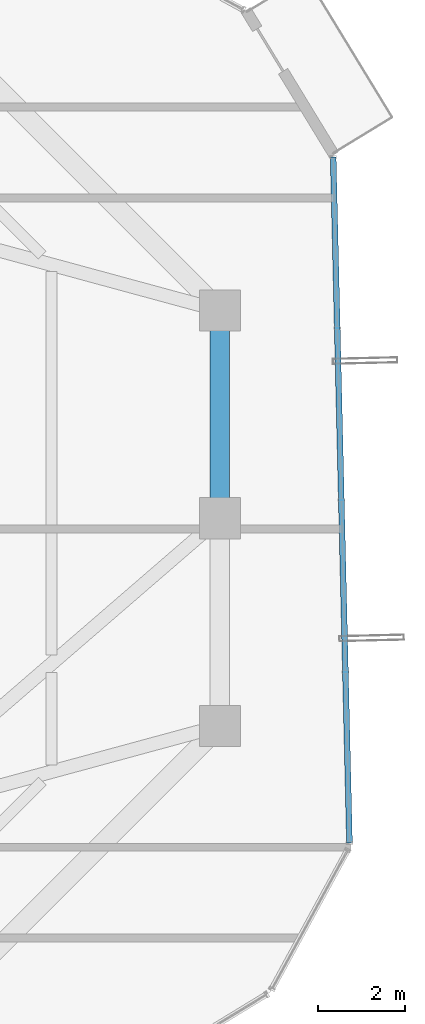
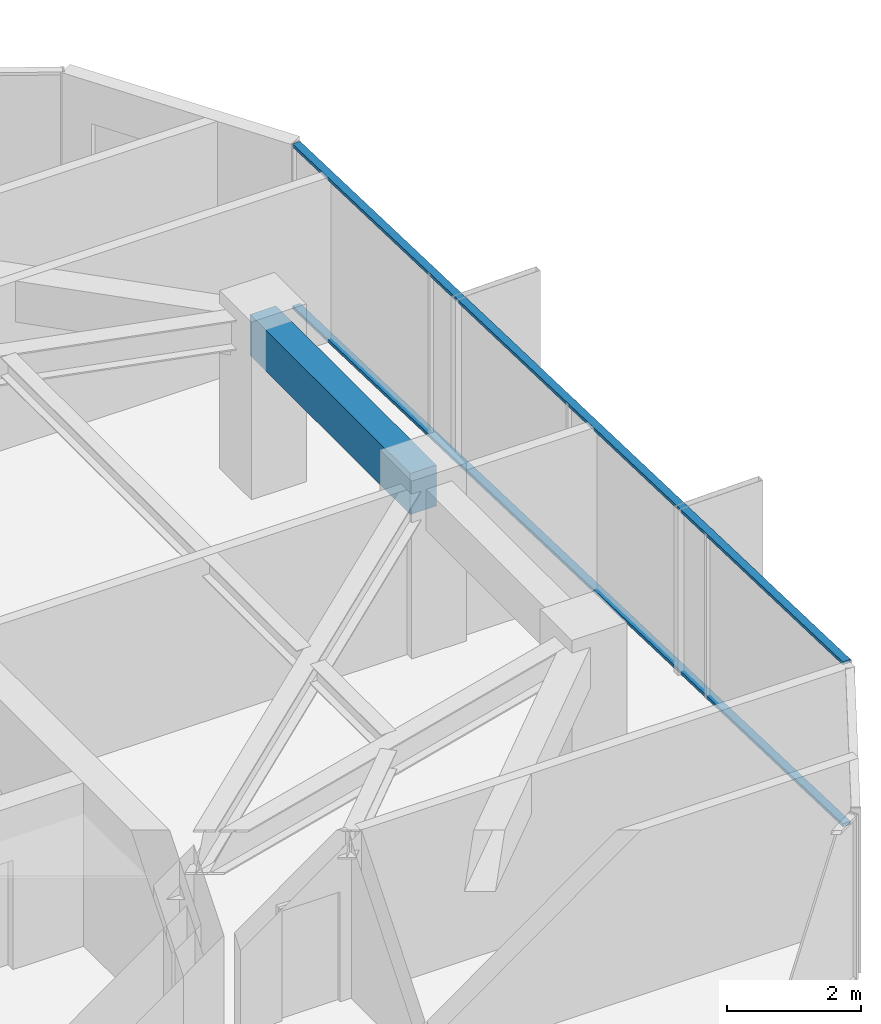
# One storey, part 19 of 32: 2 members, 1 beam, 1 element without a shape of its own.
"""IFC4 building model written with IfcOpenShell, lengths in metres."""

from ifc_helpers import new_model, si_unit, direction, frame, origin, origin_2d, place, context, subcontext, project, spatial, rectangle, hollow_rectangle, extrude, source, transform, mapped, material, layer, layer_set, material_profile, profile_set, type_object, element, aggregate, save


model = new_model("IFC4")

# Units and contexts
model_context = context("Model", 3, precision=1e-05, world=origin(), true_north=direction((0.0, 1.0)))
body_context = subcontext(model_context, "Body", "Model", "MODEL_VIEW")
ifc_project = project(units=[si_unit("LENGTHUNIT", "METRE"), si_unit("AREAUNIT", "SQUARE_METRE"), si_unit("VOLUMEUNIT", "CUBIC_METRE"), si_unit("PLANEANGLEUNIT", "RADIAN"), si_unit("MASSUNIT", "GRAM", prefix="KILO")], contexts=[model_context])

# Site, building, storey
site_placement = place(None, origin())
site = spatial("IfcSite", under=ifc_project, at=site_placement, CompositionType="ELEMENT")
building_placement = place(site_placement, origin())
building = spatial("IfcBuilding", under=site, at=building_placement, Name="Veraguas Prism Commons", CompositionType="ELEMENT")
storey_placement = place(building_placement, frame((0.0, 0.0, 201.60009765625)))
storey = spatial("IfcBuildingStorey", under=building, at=storey_placement, Name="L57", CompositionType="ELEMENT", Elevation=201.60009765625)

# Beam
ifc_material_1 = material(Name="Concrete C50/60", Category="concrete")
ifc_material_profile_1 = material_profile(ifc_material_1, rectangle(XDim=0.449951171875, YDim=0.75, at=origin_2d()), Name="RC450X750")
ifc_profile_set_1 = profile_set([ifc_material_profile_1], Name="Concrete C50/60")
beam_type = type_object("IfcBeamType", Name="Perimeter Spandrel Upper RC 450x750", PredefinedType="SPANDREL", material=ifc_profile_set_1)
beam_placement = place(storey_placement, frame((38.89990234375, 24.0, 2.639892578125), z_axis=(0.0, 1.0, 0.0), x_axis=(-1.0, 0.0, 0.0)))
element("IfcBeam", 1, at=beam_placement, inside=storey, type_object=beam_type, Name="Perimeter Spandrel Beam L57-SP02", PredefinedType="SPANDREL", context=body_context, shape_type="SweptSolid", body=[
    extrude(rectangle(XDim=0.449951171875, YDim=0.75, at=origin_2d()), origin(), (0.0, 0.0, 1.0), 4.800048828125),
])

# Curtain wall, members
ifc_material_2 = material(Name="Anodised aluminium EN AW-6063 T6", Category="aluminium")
ifc_layer = layer(ifc_material_2, 0.14990234375, Name="Unitised Flush Curtain Wall Zone 3", Category="aluminium")
ifc_layer_set = layer_set([ifc_layer], Name="Anodised aluminium EN AW-6063 T6")
curtain_wall_type = type_object("IfcCurtainWallType", Name="Unitised Flush Curtain Wall Zone 3", PredefinedType="NOTDEFINED", material=ifc_layer_set)
curtain_wall_placement = place(storey_placement, origin())
curtain_wall = element("IfcCurtainWall", 2, at=curtain_wall_placement, inside=storey, type_object=curtain_wall_type, Name="Tower Facade Curtain Wall L57-F6", PredefinedType="NOTDEFINED")
ifc_material_profile_2 = material_profile(ifc_material_2, hollow_rectangle(XDim=0.054931640625, YDim=0.135009765625, WallThickness=0.0029296875, at=origin_2d()), Name="AL55X135X3")
ifc_profile_set_2 = profile_set([ifc_material_profile_2], Name="Anodised aluminium EN AW-6063 T6")
member_type = type_object("IfcMemberType", Name="Curtain Wall Transom Standard AL 55x135x3", PredefinedType="USERDEFINED", material=ifc_profile_set_2)
shared_shape = source(origin(), body_context, "Body", "SweptSolid", [
    extrude(hollow_rectangle(XDim=0.054931640625, YDim=0.135009765625, WallThickness=0.0029296875, at=origin_2d()), origin(), (0.0, 0.0, 1.0), 15.84228515625),
])
member_1_placement = place(storey_placement, frame((41.893310546875, 16.50146484375, 0.02734375), z_axis=(-0.02373236921, 0.999718347662, 0.0), x_axis=(0.0, 0.0, 1.0)))
member_1 = element("IfcMember", 3, at=member_1_placement, type_object=member_type, Name="CW-Z3 Transom 1", ObjectType="TRANSOM", PredefinedType="USERDEFINED", context=body_context, shape_type="MappedRepresentation", body=[
    mapped(shared_shape, transform((0.0, 0.0, 0.0), scale=1.0)),
])
member_2_placement = place(storey_placement, frame((41.893310546875, 16.50146484375, 2.9873046875), z_axis=(-0.02373236921, 0.999718347662, 0.0), x_axis=(0.0, 0.0, 1.0)))
member_2 = element("IfcMember", 4, at=member_2_placement, type_object=member_type, Name="CW-Z3 Transom 2", ObjectType="TRANSOM", PredefinedType="USERDEFINED", context=body_context, shape_type="MappedRepresentation", body=[
    mapped(shared_shape, transform((0.0, 0.0, 0.0), scale=1.0)),
])
aggregate(curtain_wall, [member_1, member_2])

save(model, "model.ifc")
